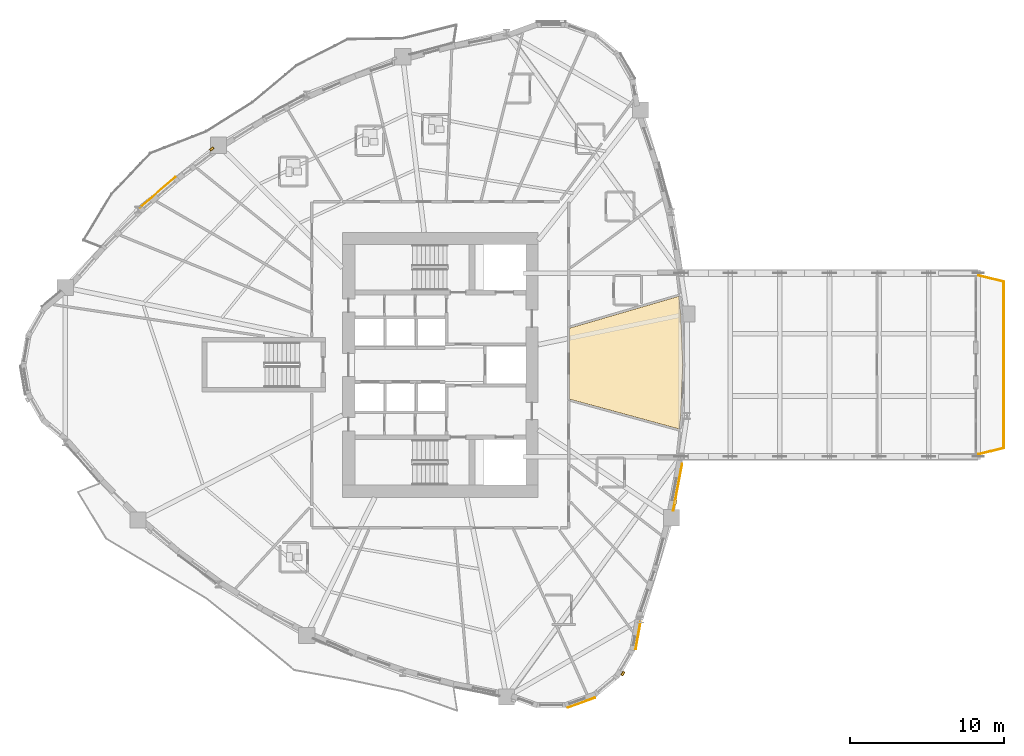
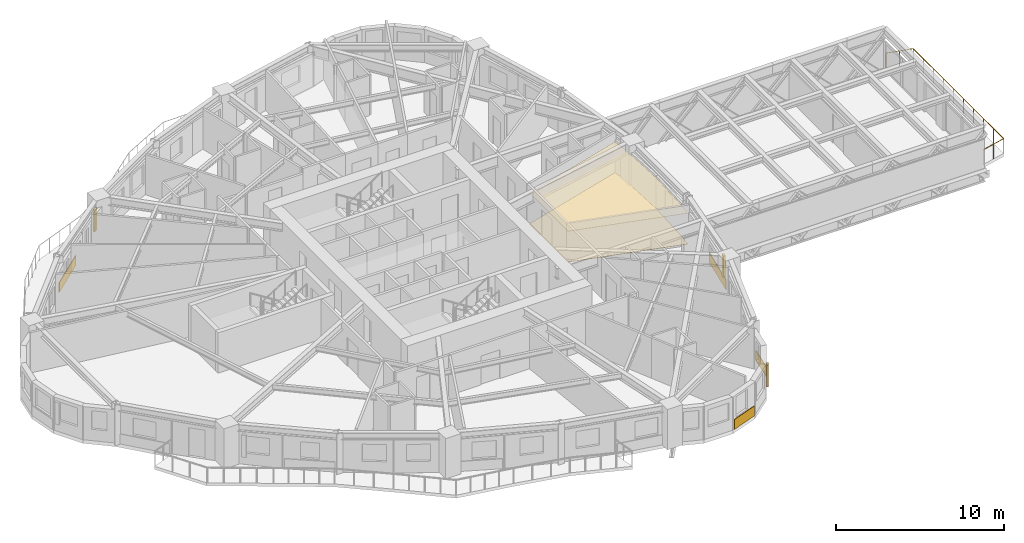
# One storey, part 16 of 18: 6 coverings, 3 shading devices, 1 railing.
"""IFC4 building model written with IfcOpenShell, lengths in metres."""

from ifc_helpers import new_model, si_unit, direction, frame, origin, origin_2d, place, context, subcontext, project, spatial, polyline, rectangle, circle, outline, extrude, source, transform, mapped, material, layer, layer_set, type_object, element, save


model = new_model("IFC4")

# Units and contexts
model_context = context("Model", 3, precision=1e-05, world=origin(), true_north=direction((0.0, 1.0)))
body_context = subcontext(model_context, "Body", "Model", "MODEL_VIEW")
ifc_project = project(units=[si_unit("LENGTHUNIT", "METRE"), si_unit("AREAUNIT", "SQUARE_METRE"), si_unit("VOLUMEUNIT", "CUBIC_METRE"), si_unit("PLANEANGLEUNIT", "RADIAN"), si_unit("MASSUNIT", "GRAM", prefix="KILO")], contexts=[model_context])

# Site, building, storey
site_placement = place(None, origin())
site = spatial("IfcSite", under=ifc_project, at=site_placement, CompositionType="ELEMENT")
building_placement = place(site_placement, origin())
building = spatial("IfcBuilding", under=site, at=building_placement, Name="Qafzar Sky-Pleat Residences", CompositionType="ELEMENT")
storey_placement = place(building_placement, frame((0.0, 0.0, 27.0)))
storey = spatial("IfcBuildingStorey", under=building, at=storey_placement, Name="L07", CompositionType="ELEMENT", Elevation=27.0)

# Coverings
ifc_material_1 = material(Name="Perforated acoustic gypsum board ceiling")
ifc_layer_1 = layer(ifc_material_1, 0.02001953125)
ifc_layer_set_1 = layer_set([ifc_layer_1], Name="Perforated acoustic gypsum board ceiling")
covering_type_1 = type_object("IfcCoveringType", Name="COV-CEIL-ACOUSTIC", PredefinedType="CEILING", material=ifc_layer_set_1)
covering_1_placement = place(storey_placement, frame((0.0, 0.0, 2.239990234375)))
element("IfcCovering", 1, at=covering_1_placement, inside=storey, type_object=covering_type_1, Name="L07 Co-Living Lounge Acoustic Ceiling", PredefinedType="CEILING", context=body_context, shape_type="SweptSolid", body=[
    extrude(outline(polyline([(45.961181640625, 29.276123046875), (46.0859375, 26.0), (45.961181640625, 22.723876953125), (45.860107421875, 21.835205078125), (38.739990234375, 23.775634765625), (38.739990234375, 28.38427734375), (45.827392578125, 30.451416015625), (45.961181640625, 29.276123046875)])), origin(), (0.0, 0.0, 1.0), 0.02001953125),
])
ifc_material_2 = material(Name="Honed porcelain and Riyadh stone tile flooring", Category="masonry")
ifc_layer_2 = layer(ifc_material_2, 0.02001953125)
ifc_layer_set_2 = layer_set([ifc_layer_2], Name="Honed porcelain and Riyadh stone tile flooring")
covering_type_2 = type_object("IfcCoveringType", Name="COV-FLR-PORCELAIN", PredefinedType="FLOORING", material=ifc_layer_set_2)
covering_2_placement = place(storey_placement, origin())
element("IfcCovering", 2, at=covering_2_placement, inside=storey, type_object=covering_type_2, Name="L07 Co-Living Lounge Honed Stone Flooring", PredefinedType="FLOORING", context=body_context, shape_type="SweptSolid", body=[
    extrude(outline(polyline([(45.961181640625, 29.276123046875), (46.0859375, 26.0), (45.961181640625, 22.723876953125), (45.860107421875, 21.835205078125), (38.739990234375, 23.775634765625), (38.739990234375, 28.38427734375), (45.827392578125, 30.451416015625), (45.961181640625, 29.276123046875)])), origin(), (0.0, 0.0, 1.0), 0.02001953125),
])

# Shading devices
ifc_material_3 = material(Name="Honed Riyadh limestone solar fin", Category="masonry")
ifc_layer_3 = layer(ifc_material_3, 0.139892578125)
ifc_layer_set_3 = layer_set([ifc_layer_3], Name="Honed Riyadh limestone solar fin")
shading_device_type = type_object("IfcShadingDeviceType", Name="SHD-FIN-STONE", PredefinedType="SHUTTER", material=ifc_layer_set_3)
shared_shape_1 = source(origin(), body_context, "Body", "SweptSolid", [
    extrude(rectangle(XDim=0.139892578125, YDim=0.280029296875, at=origin_2d()), origin(), (0.0, 0.0, 1.0), 1.60009765625),
])
for number, where, z_axis, x_axis, name in (
    (3, (42.1953125, 5.968505859375, 0.599853515625), (0.0, 0.0, 1.0), (0.86604422228, -0.499967403994, 0.0), "L07 Limestone Solar Fin 21"),
    (4, (45.61474609375, 17.097900390625, 0.599853515625), (0.0, 0.0, 1.0), (0.982420909967, -0.186679285565, 0.0), "L07 Limestone Solar Fin 25"),
    (5, (15.524658203125, 40.009033203125, 0.599853515625), (0.0, 0.0, 1.0), (-0.594881837861, 0.803813161738, 0.0), "L07 Limestone Solar Fin 45"),
):
    element("IfcShadingDevice", number, at=place(storey_placement, frame(where, z_axis=z_axis, x_axis=x_axis)), inside=storey, type_object=shading_device_type, Name=name, PredefinedType="SHUTTER", context=body_context, shape_type="MappedRepresentation", body=[
        mapped(shared_shape_1, transform((0.0, 0.0, 0.0), x_axis=(1.0, 0.0, 0.0), y_axis=(0.0, 1.0, 0.0), z_axis=(0.0, 0.0, 1.0), scale=1.0)),
    ])

# Coverings
ifc_material_4 = material(Name="Honed Riyadh Tuwaiq limestone cladding", Category="masonry")
ifc_layer_4 = layer(ifc_material_4, 0.044921875)
ifc_layer_set_4 = layer_set([ifc_layer_4], Name="Honed Riyadh Tuwaiq limestone cladding")
covering_type_3 = type_object("IfcCoveringType", Name="COV-CLAD-STONE", PredefinedType="CLADDING", material=ifc_layer_set_4)
shared_shape_2 = source(origin(), body_context, "Body", "SweptSolid", [
    extrude(rectangle(XDim=1.8291015625, YDim=0.044921875, at=origin_2d()), origin(), (0.0, 0.0, 1.0), 0.719970703125),
])
covering_3_placement = place(storey_placement, frame((43.186767578125, 8.443359375, 0.02001953125), z_axis=(0.0, 0.0, 1.0), x_axis=(0.17364778674, 0.984807821943, 0.0)))
element("IfcCovering", 6, at=covering_3_placement, inside=storey, type_object=covering_type_3, Name="L07 Riyadh Limestone Spandrel Cladding 22", PredefinedType="CLADDING", context=body_context, shape_type="MappedRepresentation", body=[
    mapped(shared_shape_2, transform((0.0, 0.0, 0.0), x_axis=(1.0, 0.0, 0.0), y_axis=(0.0, 1.0, 0.0), z_axis=(0.0, 0.0, 1.0), scale=1.0)),
])
shared_shape_3 = source(origin(), body_context, "Body", "SweptSolid", [
    extrude(rectangle(XDim=1.881103515625, YDim=0.044921875, at=origin_2d()), origin(), (0.0, 0.0, 1.0), 0.719970703125),
])
covering_4_placement = place(storey_placement, frame((39.506103515625, 4.07958984375, 0.02001953125), z_axis=(0.0, 0.0, 1.0), x_axis=(0.939715179222, 0.34195815817, 0.0)))
element("IfcCovering", 7, at=covering_4_placement, inside=storey, type_object=covering_type_3, Name="L07 Riyadh Limestone Spandrel Cladding 19", PredefinedType="CLADDING", context=body_context, shape_type="MappedRepresentation", body=[
    mapped(shared_shape_3, transform((0.0, 0.0, 0.0), x_axis=(1.0, 0.0, 0.0), y_axis=(0.0, 1.0, 0.0), z_axis=(0.0, 0.0, 1.0), scale=1.0)),
])
shared_shape_4 = source(origin(), body_context, "Body", "SweptSolid", [
    extrude(rectangle(XDim=3.10107421875, YDim=0.044921875, at=origin_2d()), origin(), (0.0, 0.0, 1.0), 0.719970703125),
])
covering_5_placement = place(storey_placement, frame((45.75439453125, 18.063720703125, 0.02001953125), z_axis=(0.0, 0.0, 1.0), x_axis=(0.186669329161, 0.982422801828, 0.0)))
element("IfcCovering", 8, at=covering_5_placement, inside=storey, type_object=covering_type_3, Name="L07 Riyadh Limestone Spandrel Cladding 25", PredefinedType="CLADDING", context=body_context, shape_type="MappedRepresentation", body=[
    mapped(shared_shape_4, transform((0.0, 0.0, 0.0), x_axis=(1.0, 0.0, 0.0), y_axis=(0.0, 1.0, 0.0), z_axis=(0.0, 0.0, 1.0), scale=1.0)),
])
shared_shape_5 = source(origin(), body_context, "Body", "SweptSolid", [
    extrude(rectangle(XDim=3.04541015625, YDim=0.044921875, at=origin_2d()), origin(), (0.0, 0.0, 1.0), 0.719970703125),
])
covering_6_placement = place(storey_placement, frame((12.01416015625, 37.20458984375, 0.02001953125), z_axis=(0.0, 0.0, 1.0), x_axis=(-0.757465901531, -0.652874726129, 0.0)))
element("IfcCovering", 9, at=covering_6_placement, inside=storey, type_object=covering_type_3, Name="L07 Riyadh Limestone Spandrel Cladding 46", PredefinedType="CLADDING", context=body_context, shape_type="MappedRepresentation", body=[
    mapped(shared_shape_5, transform((0.0, 0.0, 0.0), x_axis=(1.0, 0.0, 0.0), y_axis=(0.0, 1.0, 0.0), z_axis=(0.0, 0.0, 1.0), scale=1.0)),
])

# Railing
ifc_material_5 = material(Name="Laminated glass and bronze steel balustrade", Category="steel")
railing_type = type_object("IfcRailingType", Name="RAIL-BAL-1100", PredefinedType="BALUSTRADE", material=ifc_material_5)
shared_shape_6 = source(origin(), body_context, "Body", "SweptSolid", [
    extrude(circle(Radius=0.02392578125, at=origin_2d()), frame((0.0, 0.0, 1.076171875), z_axis=(0.971333546133, 0.237720723027, 0.0), x_axis=(-0.237720723027, 0.971333546133, 0.0)), (0.0, 0.0, 1.0), 1.683349609375),
    extrude(circle(Radius=0.02392578125, at=origin_2d()), frame((1.635009765625, 0.400146484375, 1.076171875), z_axis=(0.0, 1.0, 0.0), x_axis=(-1.0, 0.0, 0.0)), (0.0, 0.0, 1.0), 10.7998046875),
    extrude(circle(Radius=0.02392578125, at=origin_2d()), frame((1.635009765625, 11.199951171875, 1.076171875), z_axis=(-0.971333546133, 0.237720723027, 0.0), x_axis=(-0.237720723027, -0.971333546133, 0.0)), (0.0, 0.0, 1.0), 1.683349609375),
    extrude(circle(Radius=0.02099609375, at=origin_2d()), origin(), (0.0, 0.0, 1.0), 1.052001953125),
    extrude(circle(Radius=0.02099609375, at=origin_2d()), frame((0.8173828125, 0.2001953125, 0.0)), (0.0, 0.0, 1.0), 1.052001953125),
    extrude(circle(Radius=0.02099609375, at=origin_2d()), frame((1.635009765625, 0.400146484375, 0.0)), (0.0, 0.0, 1.0), 1.052001953125),
    extrude(circle(Radius=0.02099609375, at=origin_2d()), frame((1.635009765625, 1.60009765625, 0.0)), (0.0, 0.0, 1.0), 1.052001953125),
    extrude(circle(Radius=0.02099609375, at=origin_2d()), frame((1.635009765625, 2.800048828125, 0.0)), (0.0, 0.0, 1.0), 1.052001953125),
    extrude(circle(Radius=0.02099609375, at=origin_2d()), frame((1.635009765625, 4.0, 0.0)), (0.0, 0.0, 1.0), 1.052001953125),
    extrude(circle(Radius=0.02099609375, at=origin_2d()), frame((1.635009765625, 5.199951171875, 0.0)), (0.0, 0.0, 1.0), 1.052001953125),
    extrude(circle(Radius=0.02099609375, at=origin_2d()), frame((1.635009765625, 6.400146484375, 0.0)), (0.0, 0.0, 1.0), 1.052001953125),
    extrude(circle(Radius=0.02099609375, at=origin_2d()), frame((1.635009765625, 7.60009765625, 0.0)), (0.0, 0.0, 1.0), 1.052001953125),
    extrude(circle(Radius=0.02099609375, at=origin_2d()), frame((1.635009765625, 8.800048828125, 0.0)), (0.0, 0.0, 1.0), 1.052001953125),
    extrude(circle(Radius=0.02099609375, at=origin_2d()), frame((1.635009765625, 10.0, 0.0)), (0.0, 0.0, 1.0), 1.052001953125),
    extrude(circle(Radius=0.02099609375, at=origin_2d()), frame((1.635009765625, 11.199951171875, 0.0)), (0.0, 0.0, 1.0), 1.052001953125),
    extrude(circle(Radius=0.02099609375, at=origin_2d()), frame((0.8173828125, 11.39990234375, 0.0)), (0.0, 0.0, 1.0), 1.052001953125),
    extrude(circle(Radius=0.02099609375, at=origin_2d()), frame((0.0, 11.60009765625, 0.0)), (0.0, 0.0, 1.0), 1.052001953125),
])
railing_placement = place(storey_placement, frame((65.26953125, 20.199951171875, 0.0)))
element("IfcRailing", 10, at=railing_placement, inside=storey, type_object=railing_type, Name="L07 SB-1 Tip Observation Balcony Balustrade", PredefinedType="BALUSTRADE", context=body_context, shape_type="MappedRepresentation", body=[
    mapped(shared_shape_6, transform((0.0, 0.0, 0.0), x_axis=(1.0, 0.0, 0.0), y_axis=(0.0, 1.0, 0.0), z_axis=(0.0, 0.0, 1.0), scale=1.0)),
])

save(model, "model.ifc")
